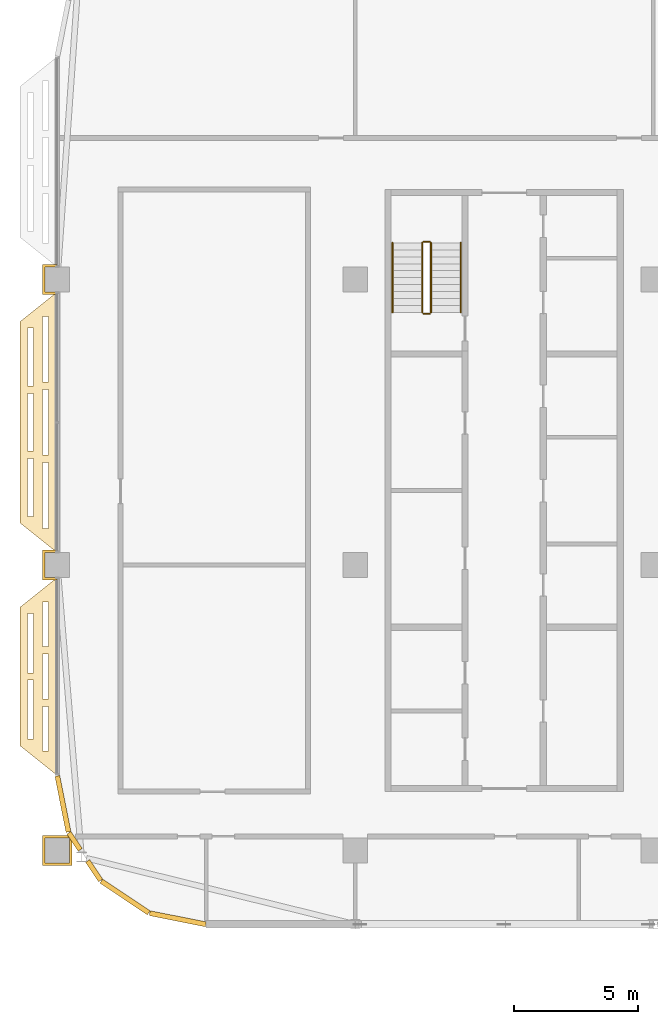
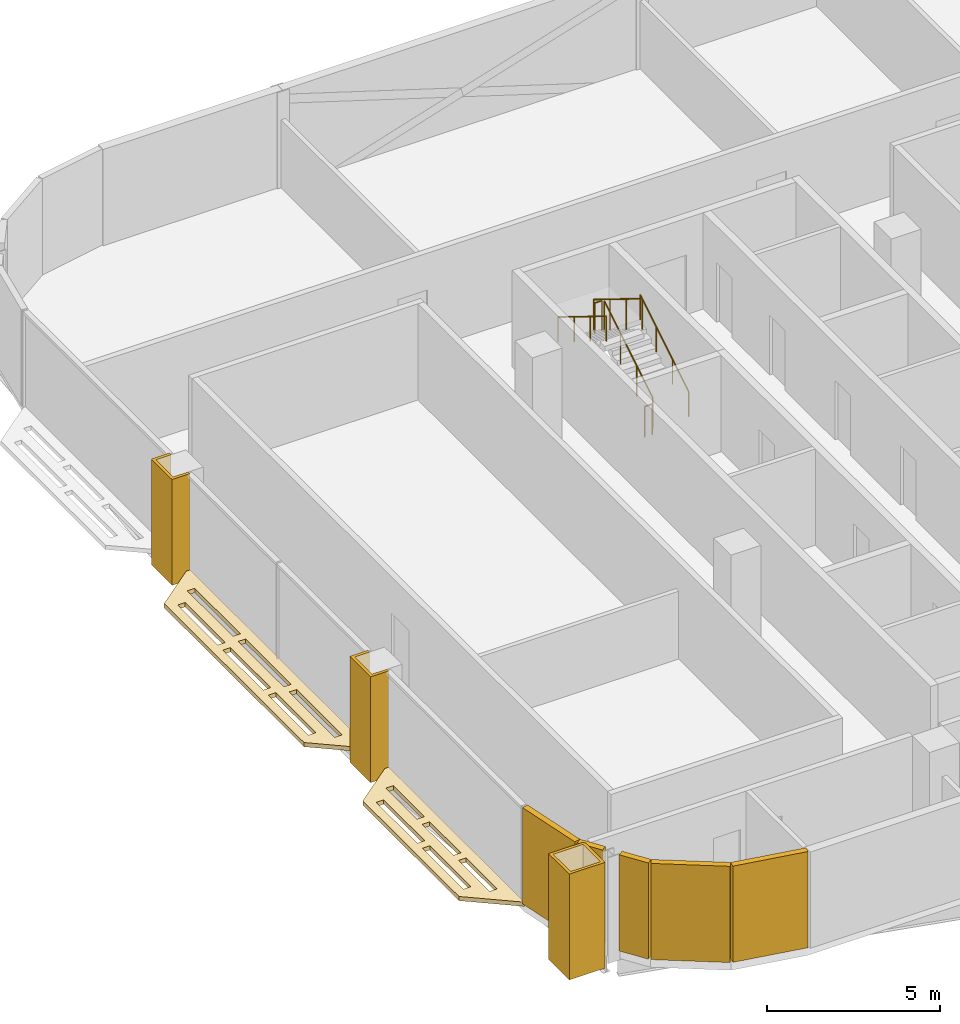
# One storey, part 27 of 33: 10 coverings, 6 railings.
"""IFC4 building model written with IfcOpenShell, lengths in metres."""

from ifc_helpers import new_model, si_unit, direction, frame, origin, origin_2d, place, context, subcontext, project, spatial, polyline, rectangle, circle, outline, extrude, material, layer, layer_set, type_object, element, save


model = new_model("IFC4")

# Units and contexts
model_context = context("Model", 3, precision=1e-05, world=origin(), true_north=direction((0.0, 1.0)))
body_context = subcontext(model_context, "Body", "Model", "MODEL_VIEW")
ifc_project = project(units=[si_unit("LENGTHUNIT", "METRE"), si_unit("AREAUNIT", "SQUARE_METRE"), si_unit("VOLUMEUNIT", "CUBIC_METRE"), si_unit("PLANEANGLEUNIT", "RADIAN"), si_unit("MASSUNIT", "GRAM", prefix="KILO")], contexts=[model_context])

# Site, building, storey
site_placement = place(None, origin())
site = spatial("IfcSite", under=ifc_project, at=site_placement, CompositionType="ELEMENT")
building_placement = place(site_placement, origin())
building = spatial("IfcBuilding", under=site, at=building_placement, Name="Mahtab Terrace Research Tower", CompositionType="ELEMENT")
storey_placement = place(building_placement, frame((0.0, 0.0, 255.199951171875)))
storey = spatial("IfcBuildingStorey", under=building, at=storey_placement, Name="L62", CompositionType="ELEMENT", Elevation=255.199951171875)

# Coverings
ifc_material_1 = material(Name="Black aluminium cladding panel", Category="aluminium")
ifc_layer_1 = layer(ifc_material_1, 0.199951171875)
ifc_layer_set_1 = layer_set([ifc_layer_1], Name="Black metal corner cladding 200")
covering_type_1 = type_object("IfcCoveringType", Name="Black metal corner cladding 200", PredefinedType="CLADDING", material=ifc_layer_set_1)
covering_1_placement = place(storey_placement, frame((-41.771484375, -9.62109375, 0.0), z_axis=(0.0, 0.0, 1.0), x_axis=(0.195212442692, -0.980760981187, 0.0)))
element("IfcCovering", 1, at=covering_1_placement, inside=storey, type_object=covering_type_1, Name="Corner cladding L62 20", PredefinedType="CLADDING", context=body_context, shape_type="SweptSolid", body=[
    extrude(rectangle(XDim=2.30126953125, YDim=0.199951171875, at=origin_2d()), origin(), (0.0, 0.0, 1.0), 3.39990234375),
])
covering_2_placement = place(storey_placement, frame((-41.302978515625, -11.12841796875, 0.0), z_axis=(0.0, 0.0, 1.0), x_axis=(0.555291490808, -0.831655794326, 0.0)))
element("IfcCovering", 2, at=covering_2_placement, inside=storey, type_object=covering_type_1, Name="Corner cladding L62 21", PredefinedType="CLADDING", context=body_context, shape_type="SweptSolid", body=[
    extrude(rectangle(XDim=0.82470703125, YDim=0.199951171875, at=origin_2d()), origin(), (0.0, 0.0, 1.0), 3.39990234375),
])
covering_3_placement = place(storey_placement, frame((-40.515380859375, -12.30810546875, 0.0), z_axis=(0.0, 0.0, 1.0), x_axis=(0.555291490808, -0.831655794326, 0.0)))
element("IfcCovering", 3, at=covering_3_placement, inside=storey, type_object=covering_type_1, Name="Corner cladding L62 22", PredefinedType="CLADDING", context=body_context, shape_type="SweptSolid", body=[
    extrude(rectangle(XDim=0.941162109375, YDim=0.199951171875, at=origin_2d()), origin(), (0.0, 0.0, 1.0), 3.39990234375),
])
for number, where, z_axis, x_axis, name in (
    (4, (-39.26953125, -13.365966796875, 0.0), (0.0, 0.0, 1.0), (0.831655794326, -0.555291490808, 0.0), "Corner cladding L62 23"),
    (5, (-37.14794921875, -14.244384765625, 0.0), (0.0, 0.0, 1.0), (0.980760981187, -0.195212442692, 0.0), "Corner cladding L62 24"),
):
    element("IfcCovering", number, at=place(storey_placement, frame(where, z_axis=z_axis, x_axis=x_axis)), inside=storey, type_object=covering_type_1, Name=name, PredefinedType="CLADDING", context=body_context, shape_type="SweptSolid", body=[
        extrude(rectangle(XDim=2.30126953125, YDim=0.199951171875, at=origin_2d()), origin(), (0.0, 0.0, 1.0), 3.39990234375),
    ])
ifc_material_2 = material(Name="Dark anodised aluminium cladding", Category="aluminium")
ifc_layer_2 = layer(ifc_material_2, 0.10009765625)
ifc_layer_set_2 = layer_set([ifc_layer_2], Name="Column casing 100")
covering_type_2 = type_object("IfcCoveringType", Name="Column casing 100", PredefinedType="CLADDING", material=ifc_layer_set_2)
covering_4_placement = place(storey_placement, frame((0.0, 0.0, -0.33984375)))
element("IfcCovering", 6, at=covering_4_placement, inside=storey, type_object=covering_type_2, Name="Column casing RC-1B L62", PredefinedType="CLADDING", context=body_context, shape_type="SweptSolid", body=[
    extrude(outline(polyline([(-42.60009765625, 0.60009765625), (-42.0, 0.60009765625), (-42.0, 0.5), (-42.5, 0.5), (-42.5, -0.5), (-42.0, -0.5), (-42.0, -0.60009765625), (-42.60009765625, -0.60009765625), (-42.60009765625, 0.60009765625)])), origin(), (0.0, 0.0, 1.0), 3.739990234375),
])
covering_5_placement = place(storey_placement, frame((0.0, 0.0, -0.33984375)))
element("IfcCovering", 7, at=covering_5_placement, inside=storey, type_object=covering_type_2, Name="Column casing RC-1C L62", PredefinedType="CLADDING", context=body_context, shape_type="SweptSolid", body=[
    extrude(outline(polyline([(-42.60009765625, 12.10009765625), (-42.0, 12.10009765625), (-42.0, 12.0), (-42.5, 12.0), (-42.5, 11.0), (-42.0, 11.0), (-42.0, 10.89990234375), (-42.60009765625, 10.89990234375), (-42.60009765625, 12.10009765625)])), origin(), (0.0, 0.0, 1.0), 3.739990234375),
])
covering_6_placement = place(storey_placement, frame((0.0, 0.0, -0.33984375)))
element("IfcCovering", 8, at=covering_6_placement, inside=storey, type_object=covering_type_2, Name="Column casing RC-1A L62", PredefinedType="CLADDING", context=body_context, shape_type="SweptSolid", body=[
    extrude(outline(polyline([(-42.60009765625, -10.89990234375), (-41.4560546875, -10.89990234375), (-41.39990234375, -10.98291015625), (-41.39990234375, -12.10009765625), (-42.60009765625, -12.10009765625), (-42.60009765625, -10.89990234375)]), holes=[polyline([(-42.5, -11.0), (-42.5, -12.0), (-41.5, -12.0), (-41.5, -11.0), (-42.5, -11.0)])]), origin(), (0.0, 0.0, 1.0), 3.739990234375),
])
ifc_material_3 = material(Name="Black anodised aluminium", Category="aluminium")
ifc_layer_3 = layer(ifc_material_3, 0.14990234375)
ifc_layer_set_3 = layer_set([ifc_layer_3], Name="Horizontal sunshade band")
covering_type_3 = type_object("IfcCoveringType", Name="Horizontal sunshade band", PredefinedType="CLADDING", material=ifc_layer_set_3)
covering_7_placement = place(storey_placement, frame((0.0, 0.0, -0.14990234375)))
element("IfcCovering", 9, at=covering_7_placement, inside=storey, type_object=covering_type_3, Name="Sunshade band L62 18", PredefinedType="CLADDING", context=body_context, shape_type="SweptSolid", body=[
    extrude(outline(polyline([(-42.0, 11.0), (-42.0, 0.5), (-43.5, 1.699951171875), (-43.5, 9.800048828125), (-42.0, 11.0)]), holes=[polyline([(-42.35009765625, 10.02001953125), (-42.35009765625, 7.373046875), (-42.60009765625, 7.373046875), (-42.60009765625, 10.02001953125), (-42.35009765625, 10.02001953125)]), polyline([(-42.35009765625, 7.072998046875), (-42.35009765625, 4.427001953125), (-42.60009765625, 4.427001953125), (-42.60009765625, 7.072998046875), (-42.35009765625, 7.072998046875)]), polyline([(-42.35009765625, 4.126953125), (-42.35009765625, 1.47998046875), (-42.60009765625, 1.47998046875), (-42.60009765625, 4.126953125), (-42.35009765625, 4.126953125)]), polyline([(-42.949951171875, 9.5400390625), (-42.949951171875, 7.212890625), (-43.199951171875, 7.212890625), (-43.199951171875, 9.5400390625), (-42.949951171875, 9.5400390625)]), polyline([(-42.949951171875, 6.9130859375), (-42.949951171875, 4.5869140625), (-43.199951171875, 4.5869140625), (-43.199951171875, 6.9130859375), (-42.949951171875, 6.9130859375)]), polyline([(-42.949951171875, 4.287109375), (-42.949951171875, 1.9599609375), (-43.199951171875, 1.9599609375), (-43.199951171875, 4.287109375), (-42.949951171875, 4.287109375)])]), origin(), (0.0, 0.0, 1.0), 0.14990234375),
])
covering_8_placement = place(storey_placement, frame((0.0, 0.0, -0.14990234375)))
element("IfcCovering", 10, at=covering_8_placement, inside=storey, type_object=covering_type_3, Name="Sunshade band L62 19", PredefinedType="CLADDING", context=body_context, shape_type="SweptSolid", body=[
    extrude(outline(polyline([(-42.0, -0.5), (-42.0, -8.472900390625), (-43.5, -7.27294921875), (-43.5, -1.699951171875), (-42.0, -0.5)]), holes=[polyline([(-42.35009765625, -1.47998046875), (-42.35009765625, -3.283935546875), (-42.60009765625, -3.283935546875), (-42.60009765625, -1.47998046875), (-42.35009765625, -1.47998046875)]), polyline([(-42.35009765625, -3.583984375), (-42.35009765625, -5.388916015625), (-42.60009765625, -5.388916015625), (-42.60009765625, -3.583984375), (-42.35009765625, -3.583984375)]), polyline([(-42.35009765625, -5.68896484375), (-42.35009765625, -7.492919921875), (-42.60009765625, -7.492919921875), (-42.60009765625, -5.68896484375), (-42.35009765625, -5.68896484375)]), polyline([(-42.949951171875, -1.9599609375), (-42.949951171875, -4.3369140625), (-43.199951171875, -4.3369140625), (-43.199951171875, -1.9599609375), (-42.949951171875, -1.9599609375)]), polyline([(-42.949951171875, -4.635986328125), (-42.949951171875, -7.012939453125), (-43.199951171875, -7.012939453125), (-43.199951171875, -4.635986328125), (-42.949951171875, -4.635986328125)])]), origin(), (0.0, 0.0, 1.0), 0.14990234375),
])

# Railings
ifc_material_4 = material(Name="Stainless steel AISI 304", Category="steel")
railing_type_1 = type_object("IfcRailingType", Name="Stair guard 1100", PredefinedType="GUARDRAIL", material=ifc_material_4)
railing_1_placement = place(storey_placement, frame((-26.949951171875, 10.175048828125, 0.1728515625)))
element("IfcRailing", 11, at=railing_1_placement, inside=storey, type_object=railing_type_1, Name="L62 ST1 stair guard 1", PredefinedType="GUARDRAIL", context=body_context, shape_type="SweptSolid", body=[
    extrude(circle(Radius=0.02392578125, at=origin_2d()), frame((0.0, 0.0, 1.076171875), z_axis=(0.0, 0.851089632645, 0.525020415988), x_axis=(-1.0, 0.0, 0.0)), (0.0, 0.0, 1.0), 3.2900390625),
    extrude(circle(Radius=0.02099609375, at=origin_2d()), origin(), (0.0, 0.0, 1.0), 1.052001953125),
    extrude(circle(Radius=0.02099609375, at=origin_2d()), frame((0.0, 0.933349609375, 0.57568359375)), (0.0, 0.0, 1.0), 1.052001953125),
    extrude(circle(Radius=0.02099609375, at=origin_2d()), frame((0.0, 1.86669921875, 1.151611328125)), (0.0, 0.0, 1.0), 1.052001953125),
    extrude(circle(Radius=0.02099609375, at=origin_2d()), frame((0.0, 2.800048828125, 1.727294921875)), (0.0, 0.0, 1.0), 1.052001953125),
])
railing_2_placement = place(storey_placement, frame((-27.0, 13.02490234375, 1.900146484375)))
element("IfcRailing", 12, at=railing_2_placement, inside=storey, type_object=railing_type_1, Name="L62 ST1 stair guard 2", PredefinedType="GUARDRAIL", context=body_context, shape_type="SweptSolid", body=[
    extrude(circle(Radius=0.02392578125, at=origin_2d()), frame((0.0, 0.0, 1.076171875), z_axis=(-1.0, 0.0, 0.0), x_axis=(0.0, -1.0, 0.0)), (0.0, 0.0, 1.0), 0.25),
    extrude(circle(Radius=0.02099609375, at=origin_2d()), origin(), (0.0, 0.0, 1.0), 1.052001953125),
    extrude(circle(Radius=0.02099609375, at=origin_2d()), frame((-0.25, 0.0, 0.0)), (0.0, 0.0, 1.0), 1.052001953125),
])
railing_3_placement = place(storey_placement, frame((-27.300048828125, 12.97509765625, 2.07275390625)))
element("IfcRailing", 13, at=railing_3_placement, inside=storey, type_object=railing_type_1, Name="L62 ST1 stair guard 3", PredefinedType="GUARDRAIL", context=body_context, shape_type="SweptSolid", body=[
    extrude(circle(Radius=0.02392578125, at=origin_2d()), frame((0.0, 0.0, 1.076171875), z_axis=(0.0, -0.851089632645, 0.525020415988), x_axis=(1.0, 0.0, 0.0)), (0.0, 0.0, 1.0), 3.2900390625),
    extrude(circle(Radius=0.02099609375, at=origin_2d()), origin(), (0.0, 0.0, 1.0), 1.052001953125),
    extrude(circle(Radius=0.02099609375, at=origin_2d()), frame((0.0, -0.933349609375, 0.57568359375)), (0.0, 0.0, 1.0), 1.052001953125),
    extrude(circle(Radius=0.02099609375, at=origin_2d()), frame((0.0, -1.86669921875, 1.151611328125)), (0.0, 0.0, 1.0), 1.052001953125),
    extrude(circle(Radius=0.02099609375, at=origin_2d()), frame((0.0, -2.800048828125, 1.727294921875)), (0.0, 0.0, 1.0), 1.052001953125),
])
railing_4_placement = place(storey_placement, frame((-27.0, 10.125, 0.0)))
element("IfcRailing", 14, at=railing_4_placement, inside=storey, type_object=railing_type_1, Name="L62 ST1 stair guard 4", PredefinedType="GUARDRAIL", context=body_context, shape_type="SweptSolid", body=[
    extrude(circle(Radius=0.02392578125, at=origin_2d()), frame((0.0, 0.0, 1.076171875), z_axis=(-1.0, 0.0, 0.0), x_axis=(0.0, -1.0, 0.0)), (0.0, 0.0, 1.0), 0.25),
    extrude(circle(Radius=0.02099609375, at=origin_2d()), origin(), (0.0, 0.0, 1.0), 1.052001953125),
    extrude(circle(Radius=0.02099609375, at=origin_2d()), frame((-0.25, 0.0, 0.0)), (0.0, 0.0, 1.0), 1.052001953125),
])
railing_type_2 = type_object("IfcRailingType", Name="Stair handrail 900", PredefinedType="HANDRAIL", material=ifc_material_4)
railing_5_placement = place(storey_placement, frame((-25.75, 10.175048828125, 0.1728515625)))
element("IfcRailing", 15, at=railing_5_placement, inside=storey, type_object=railing_type_2, Name="L62 ST1 stair handrail 1", PredefinedType="HANDRAIL", context=body_context, shape_type="SweptSolid", body=[
    extrude(circle(Radius=0.02392578125, at=origin_2d()), frame((0.0, 0.0, 0.8759765625), z_axis=(0.0, 0.851089632645, 0.525020415988), x_axis=(-1.0, 0.0, 0.0)), (0.0, 0.0, 1.0), 3.2900390625),
    extrude(circle(Radius=0.02099609375, at=origin_2d()), origin(), (0.0, 0.0, 1.0), 0.851806640625),
    extrude(circle(Radius=0.02099609375, at=origin_2d()), frame((0.0, 0.933349609375, 0.57568359375)), (0.0, 0.0, 1.0), 0.851806640625),
    extrude(circle(Radius=0.02099609375, at=origin_2d()), frame((0.0, 1.86669921875, 1.151611328125)), (0.0, 0.0, 1.0), 0.851806640625),
    extrude(circle(Radius=0.02099609375, at=origin_2d()), frame((0.0, 2.800048828125, 1.727294921875)), (0.0, 0.0, 1.0), 0.851806640625),
])
railing_6_placement = place(storey_placement, frame((-28.5, 12.97509765625, 2.07275390625)))
element("IfcRailing", 16, at=railing_6_placement, inside=storey, type_object=railing_type_2, Name="L62 ST1 stair handrail 2", PredefinedType="HANDRAIL", context=body_context, shape_type="SweptSolid", body=[
    extrude(circle(Radius=0.02392578125, at=origin_2d()), frame((0.0, 0.0, 0.8759765625), z_axis=(0.0, -0.851089632645, 0.525020415988), x_axis=(1.0, 0.0, 0.0)), (0.0, 0.0, 1.0), 3.2900390625),
    extrude(circle(Radius=0.02099609375, at=origin_2d()), origin(), (0.0, 0.0, 1.0), 0.851806640625),
    extrude(circle(Radius=0.02099609375, at=origin_2d()), frame((0.0, -0.933349609375, 0.57568359375)), (0.0, 0.0, 1.0), 0.851806640625),
    extrude(circle(Radius=0.02099609375, at=origin_2d()), frame((0.0, -1.86669921875, 1.151611328125)), (0.0, 0.0, 1.0), 0.851806640625),
    extrude(circle(Radius=0.02099609375, at=origin_2d()), frame((0.0, -2.800048828125, 1.727294921875)), (0.0, 0.0, 1.0), 0.851806640625),
])

save(model, "model.ifc")
